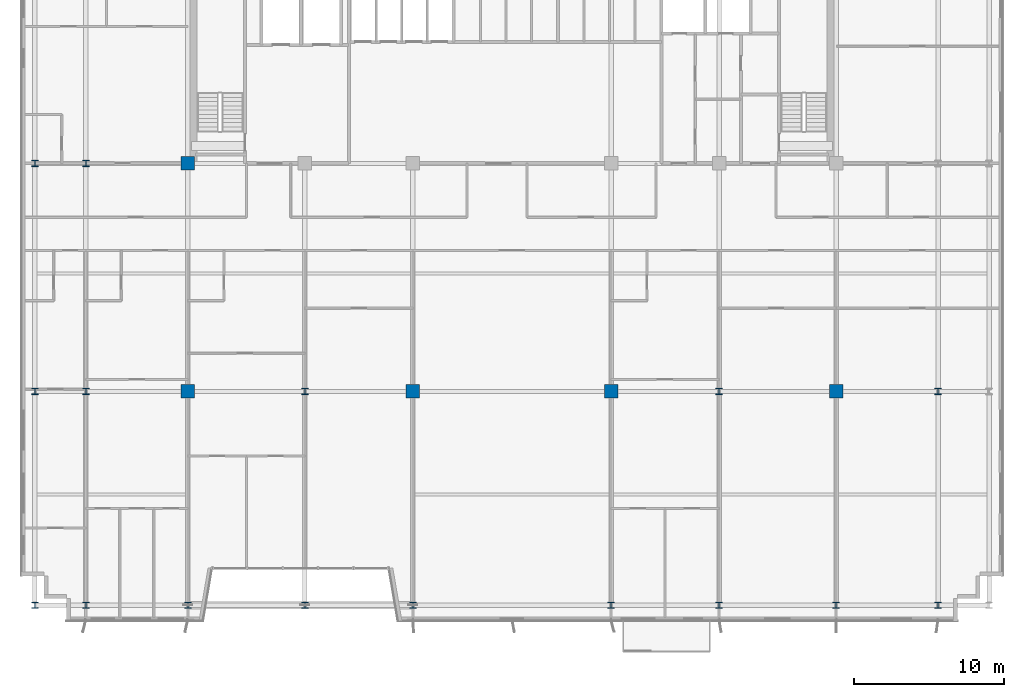
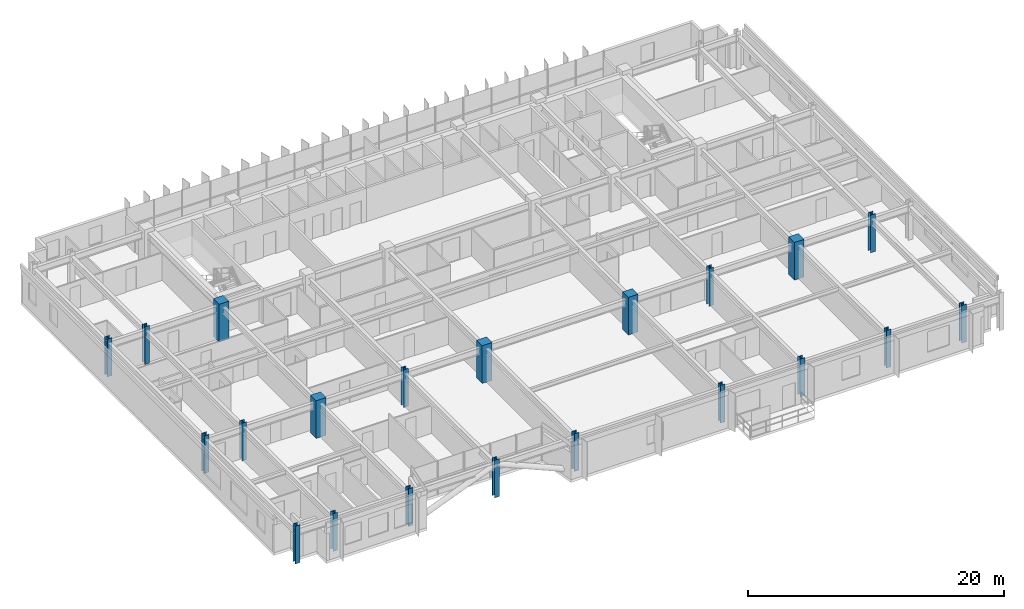
# One storey, part 1 of 25: 21 columns.
"""IFC4 building model written with IfcOpenShell, lengths in metres."""

from ifc_helpers import new_model, si_unit, direction, frame, origin, origin_2d, place, context, subcontext, project, spatial, rectangle, i_section, extrude, source, transform, mapped, material, material_profile, profile_set, type_object, element, save


model = new_model("IFC4")

# Units and contexts
model_context = context("Model", 3, precision=1e-05, world=origin(), true_north=direction((0.0, 1.0)))
body_context = subcontext(model_context, "Body", "Model", "MODEL_VIEW")
ifc_project = project(units=[si_unit("LENGTHUNIT", "METRE"), si_unit("AREAUNIT", "SQUARE_METRE"), si_unit("VOLUMEUNIT", "CUBIC_METRE"), si_unit("PLANEANGLEUNIT", "RADIAN"), si_unit("MASSUNIT", "GRAM", prefix="KILO")], contexts=[model_context])

# Site, building, storey
site_placement = place(None, origin())
site = spatial("IfcSite", under=ifc_project, at=site_placement, CompositionType="ELEMENT")
building_placement = place(site_placement, origin())
building = spatial("IfcBuilding", under=site, at=building_placement, Name="Trelvane Seafront Commons", CompositionType="ELEMENT")
storey_placement = place(building_placement, frame((0.0, 0.0, 70.300048828125)))
storey = spatial("IfcBuildingStorey", under=building, at=storey_placement, Name="L18", CompositionType="ELEMENT", Elevation=70.300048828125)

# Columns
ifc_material_1 = material(Name="Steel SM355 (S355)", Category="steel")
ifc_material_profile_1 = material_profile(ifc_material_1, i_section(OverallWidth=0.419921875, OverallDepth=0.419921875, WebThickness=0.02587890625, FlangeThickness=0.0400390625, at=origin_2d()), Name="HD-420x420x26x40")
ifc_profile_set_1 = profile_set([ifc_material_profile_1], Name="Steel SM355 (S355)")
column_type_1 = type_object("IfcColumnType", Name="STR-COL-HD420", PredefinedType="COLUMN", material=ifc_profile_set_1)
shared_shape_1 = source(origin(), body_context, "Body", "SweptSolid", [
    extrude(i_section(OverallWidth=0.419921875, OverallDepth=0.419921875, WebThickness=0.02587890625, FlangeThickness=0.0400390625, at=origin_2d()), origin(), (0.0, 0.0, 1.0), 3.599853515625),
])
for number, where, z_axis, x_axis, name in (
    (1, (5.39990234375, 3.949951171875, 0.0), (0.0, 0.0, 1.0), (1.0, 0.0, 0.0), "L18 Column TC-S5.4"),
    (2, (5.39990234375, 18.199951171875, 0.0), (0.0, 0.0, 1.0), (1.0, 0.0, 0.0), "L18 Column TC-M5.4"),
    (3, (5.39990234375, 33.39990234375, 0.0), (0.0, 0.0, 1.0), (1.0, 0.0, 0.0), "L18 Column TC-CS5.4"),
    (4, (8.800048828125, 3.949951171875, 0.0), (0.0, 0.0, 1.0), (1.0, 0.0, 0.0), "L18 Column TC-S8.8"),
    (5, (8.800048828125, 18.199951171875, 0.0), (0.0, 0.0, 1.0), (1.0, 0.0, 0.0), "L18 Column TC-M8.8"),
    (6, (8.800048828125, 33.39990234375, 0.0), (0.0, 0.0, 1.0), (1.0, 0.0, 0.0), "L18 Column TC-CS8.8"),
    (7, (15.60009765625, 3.949951171875, 0.0), (0.0, 0.0, 1.0), (1.0, 0.0, 0.0), "L18 Column TC-S15.6"),
    (8, (23.39990234375, 3.949951171875, 0.0), (0.0, 0.0, 1.0), (1.0, 0.0, 0.0), "L18 Column TC-S23.4"),
    (9, (23.39990234375, 18.199951171875, 0.0), (0.0, 0.0, 1.0), (1.0, 0.0, 0.0), "L18 Column TC-M23.4"),
    (10, (30.60009765625, 3.949951171875, 0.0), (0.0, 0.0, 1.0), (1.0, 0.0, 0.0), "L18 Column TC-S30.6"),
    (11, (43.800048828125, 3.949951171875, 0.0), (0.0, 0.0, 1.0), (1.0, 0.0, 0.0), "L18 Column TC-S43.8"),
    (12, (51.0, 3.949951171875, 0.0), (0.0, 0.0, 1.0), (1.0, 0.0, 0.0), "L18 Column TC-S51.0"),
    (13, (51.0, 18.199951171875, 0.0), (0.0, 0.0, 1.0), (1.0, 0.0, 0.0), "L18 Column TC-M51.0"),
    (14, (58.800048828125, 3.949951171875, 0.0), (0.0, 0.0, 1.0), (1.0, 0.0, 0.0), "L18 Column TC-S58.8"),
    (15, (65.60009765625, 3.949951171875, 0.0), (0.0, 0.0, 1.0), (1.0, 0.0, 0.0), "L18 Column TC-S65.6"),
    (16, (65.60009765625, 18.199951171875, 0.0), (0.0, 0.0, 1.0), (1.0, 0.0, 0.0), "L18 Column TC-M65.6"),
):
    element("IfcColumn", number, at=place(storey_placement, frame(where, z_axis=z_axis, x_axis=x_axis)), inside=storey, type_object=column_type_1, Name=name, PredefinedType="COLUMN", context=body_context, shape_type="MappedRepresentation", body=[
        mapped(shared_shape_1, transform((0.0, 0.0, 0.0), x_axis=(1.0, 0.0, 0.0), y_axis=(0.0, 1.0, 0.0), z_axis=(0.0, 0.0, 1.0), scale=1.0)),
    ])
ifc_material_2 = material(Name="Concrete C60/75", Category="concrete")
ifc_material_profile_2 = material_profile(ifc_material_2, rectangle(XDim=0.89990234375, YDim=0.89990234375, at=origin_2d()), Name="RC-900x900")
ifc_profile_set_2 = profile_set([ifc_material_profile_2], Name="Concrete C60/75")
column_type_2 = type_object("IfcColumnType", Name="STR-COL-RC900", PredefinedType="COLUMN", material=ifc_profile_set_2)
shared_shape_2 = source(origin(), body_context, "Body", "SweptSolid", [
    extrude(rectangle(XDim=0.89990234375, YDim=0.89990234375, at=origin_2d()), origin(), (0.0, 0.0, 1.0), 3.599853515625),
])
for number, where, z_axis, x_axis, name in (
    (17, (15.60009765625, 18.199951171875, 0.0), (0.0, 0.0, 1.0), (1.0, 0.0, 0.0), "L18 Column TC-M15.6"),
    (18, (15.60009765625, 33.39990234375, 0.0), (0.0, 0.0, 1.0), (1.0, 0.0, 0.0), "L18 Column TC-CS15.6"),
    (19, (30.60009765625, 18.199951171875, 0.0), (0.0, 0.0, 1.0), (1.0, 0.0, 0.0), "L18 Column TC-M30.6"),
    (20, (43.800048828125, 18.199951171875, 0.0), (0.0, 0.0, 1.0), (1.0, 0.0, 0.0), "L18 Column TC-M43.8"),
    (21, (58.800048828125, 18.199951171875, 0.0), (0.0, 0.0, 1.0), (1.0, 0.0, 0.0), "L18 Column TC-M58.8"),
):
    element("IfcColumn", number, at=place(storey_placement, frame(where, z_axis=z_axis, x_axis=x_axis)), inside=storey, type_object=column_type_2, Name=name, PredefinedType="COLUMN", context=body_context, shape_type="MappedRepresentation", body=[
        mapped(shared_shape_2, transform((0.0, 0.0, 0.0), x_axis=(1.0, 0.0, 0.0), y_axis=(0.0, 1.0, 0.0), z_axis=(0.0, 0.0, 1.0), scale=1.0)),
    ])

save(model, "model.ifc")
